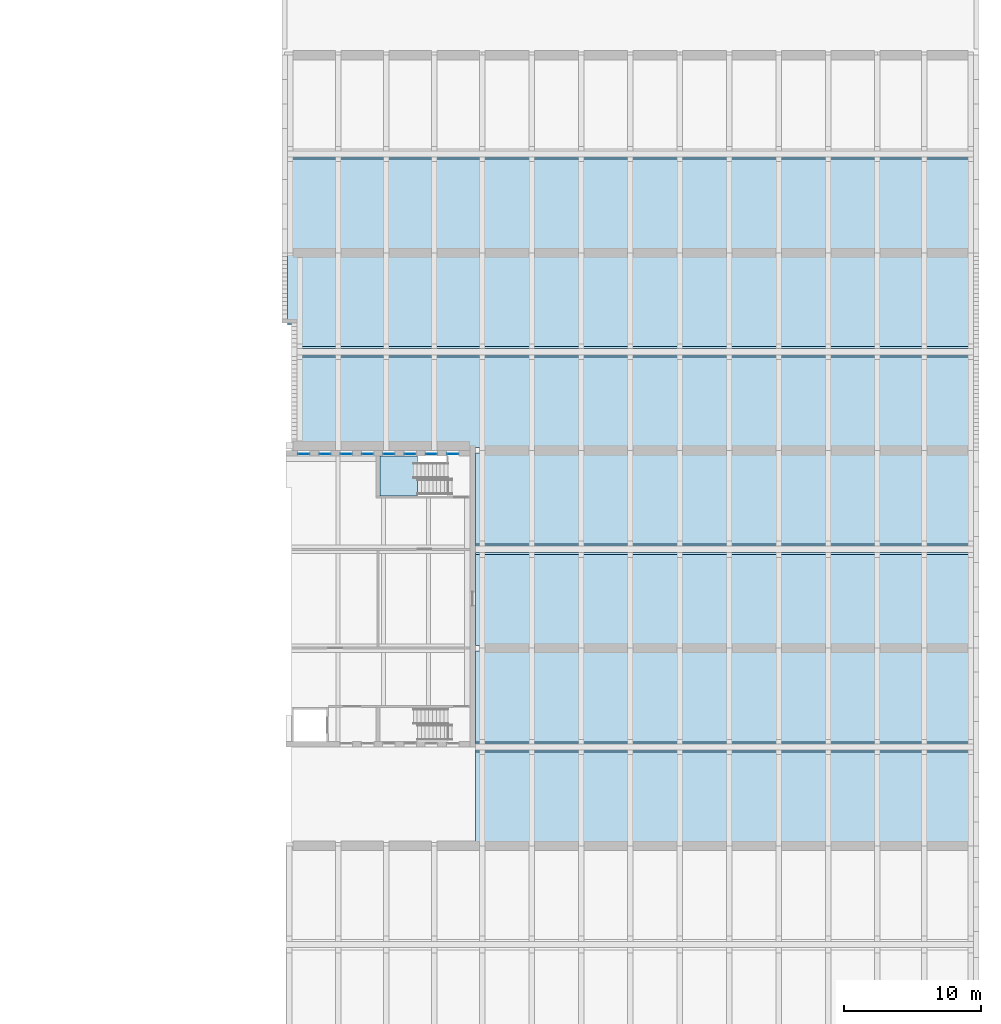
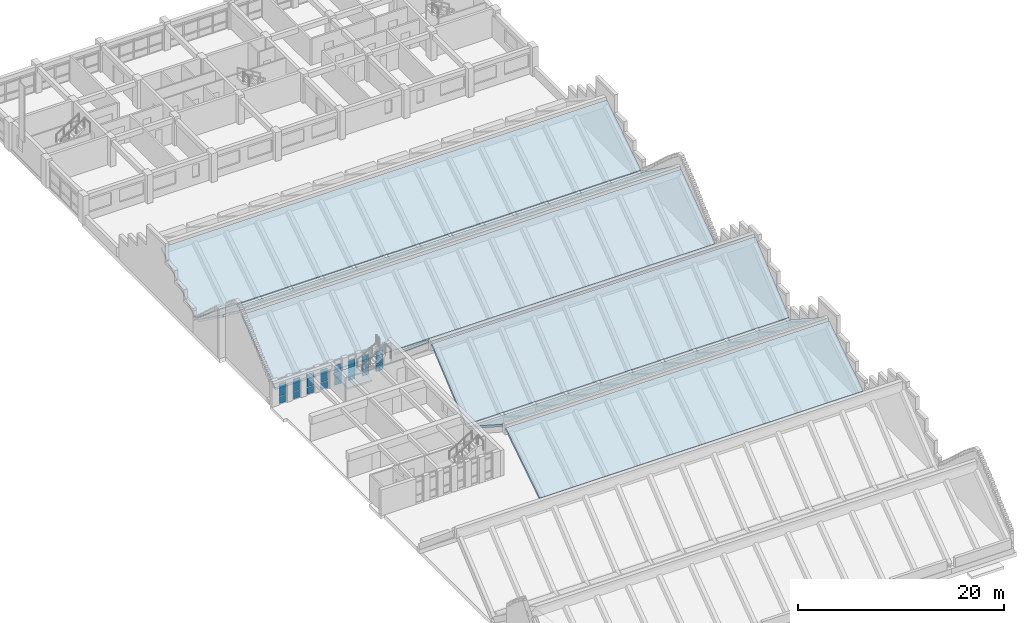
# One storey, part 19 of 31: 16 plates, 8 slabs, 9 elements without a shape of their own.
"""IFC4 building model written with IfcOpenShell, lengths in metres."""

from ifc_helpers import new_model, si_unit, direction, frame, origin, origin_2d, place, context, subcontext, project, spatial, polyline, rectangle, outline, extrude, material, layer, layer_set, type_object, element, aggregate, save


model = new_model("IFC4")

# Units and contexts
model_context = context("Model", 3, precision=1e-05, world=origin(), true_north=direction((0.0, 1.0)))
body_context = subcontext(model_context, "Body", "Model", "MODEL_VIEW")
ifc_project = project(units=[si_unit("LENGTHUNIT", "METRE"), si_unit("AREAUNIT", "SQUARE_METRE"), si_unit("VOLUMEUNIT", "CUBIC_METRE"), si_unit("PLANEANGLEUNIT", "RADIAN"), si_unit("MASSUNIT", "GRAM", prefix="KILO")], contexts=[model_context])

# Site, building, storey
site_placement = place(None, origin())
site = spatial("IfcSite", under=ifc_project, at=site_placement, CompositionType="ELEMENT")
building_placement = place(site_placement, origin())
building = spatial("IfcBuilding", under=site, at=building_placement, Name="Vermilion Court Aquatics Centre", CompositionType="ELEMENT")
storey_placement = place(building_placement, frame((0.0, 0.0, 16.5)))
storey = spatial("IfcBuildingStorey", under=building, at=storey_placement, Name="L03", CompositionType="ELEMENT", Elevation=16.5)

# Curtain wall, plates
ifc_material_1 = material(Name="Aluminium 6063-T5", Category="aluminium")
curtain_wall_type = type_object("IfcCurtainWallType", Name="Diving Tower slot curtain wall 900 module", PredefinedType="NOTDEFINED", material=ifc_material_1)
curtain_wall_1_placement = place(storey_placement, origin())
curtain_wall_1 = element("IfcCurtainWall", 1, at=curtain_wall_1_placement, inside=storey, type_object=curtain_wall_type, Name="Diving Tower slot window north 1 L03", PredefinedType="NOTDEFINED")
ifc_material_2 = material(Name="Glazing", Category="glass")
ifc_layer_1 = layer(ifc_material_2, 0.02392578125)
ifc_layer_set_1 = layer_set([ifc_layer_1], Name="Diving Tower slot glazing panel 24")
plate_type = type_object("IfcPlateType", Name="Diving Tower slot glazing panel 24", PredefinedType="CURTAIN_PANEL", material=ifc_layer_set_1)
plate_1_placement = place(storey_placement, frame((145.39990234375, 57.35009765625, 0.06005859375), z_axis=(0.0, 0.0, 1.0), x_axis=(1.0, 0.0, 0.0)))
plate_1 = element("IfcPlate", 2, at=plate_1_placement, type_object=plate_type, Name="UCW3 panel 1.1", PredefinedType="CURTAIN_PANEL", context=body_context, shape_type="SweptSolid", body=[
    extrude(rectangle(XDim=0.780029296875, YDim=0.028076171875, at=origin_2d()), origin(), (0.0, 0.0, 1.0), 0.81005859375),
])
plate_2_placement = place(storey_placement, frame((145.39990234375, 57.35009765625, 0.93017578125), z_axis=(0.0, 0.0, 1.0), x_axis=(1.0, 0.0, 0.0)))
plate_2 = element("IfcPlate", 3, at=plate_2_placement, type_object=plate_type, Name="UCW3 panel 1.2", PredefinedType="CURTAIN_PANEL", context=body_context, shape_type="SweptSolid", body=[
    extrude(rectangle(XDim=0.780029296875, YDim=0.028076171875, at=origin_2d()), origin(), (0.0, 0.0, 1.0), 1.489990234375),
])
aggregate(curtain_wall_1, [plate_1, plate_2])

curtain_wall_2_placement = place(storey_placement, origin())
curtain_wall_2 = element("IfcCurtainWall", 4, at=curtain_wall_2_placement, inside=storey, type_object=curtain_wall_type, Name="Diving Tower slot window north 2 L03", PredefinedType="NOTDEFINED")
plate_3_placement = place(storey_placement, frame((146.949951171875, 57.35009765625, 0.06005859375), z_axis=(0.0, 0.0, 1.0), x_axis=(1.0, 0.0, 0.0)))
plate_3 = element("IfcPlate", 5, at=plate_3_placement, type_object=plate_type, Name="UCW3 panel 1.1", PredefinedType="CURTAIN_PANEL", context=body_context, shape_type="SweptSolid", body=[
    extrude(rectangle(XDim=0.780029296875, YDim=0.028076171875, at=origin_2d()), origin(), (0.0, 0.0, 1.0), 0.81005859375),
])
plate_4_placement = place(storey_placement, frame((146.949951171875, 57.35009765625, 0.93017578125), z_axis=(0.0, 0.0, 1.0), x_axis=(1.0, 0.0, 0.0)))
plate_4 = element("IfcPlate", 6, at=plate_4_placement, type_object=plate_type, Name="UCW3 panel 1.2", PredefinedType="CURTAIN_PANEL", context=body_context, shape_type="SweptSolid", body=[
    extrude(rectangle(XDim=0.780029296875, YDim=0.028076171875, at=origin_2d()), origin(), (0.0, 0.0, 1.0), 1.489990234375),
])
aggregate(curtain_wall_2, [plate_3, plate_4])

curtain_wall_3_placement = place(storey_placement, origin())
curtain_wall_3 = element("IfcCurtainWall", 7, at=curtain_wall_3_placement, inside=storey, type_object=curtain_wall_type, Name="Diving Tower slot window north 3 L03", PredefinedType="NOTDEFINED")
plate_5_placement = place(storey_placement, frame((148.5, 57.35009765625, 0.06005859375), z_axis=(0.0, 0.0, 1.0), x_axis=(1.0, 0.0, 0.0)))
plate_5 = element("IfcPlate", 8, at=plate_5_placement, type_object=plate_type, Name="UCW3 panel 1.1", PredefinedType="CURTAIN_PANEL", context=body_context, shape_type="SweptSolid", body=[
    extrude(rectangle(XDim=0.780029296875, YDim=0.028076171875, at=origin_2d()), origin(), (0.0, 0.0, 1.0), 0.81005859375),
])
plate_6_placement = place(storey_placement, frame((148.5, 57.35009765625, 0.93017578125), z_axis=(0.0, 0.0, 1.0), x_axis=(1.0, 0.0, 0.0)))
plate_6 = element("IfcPlate", 9, at=plate_6_placement, type_object=plate_type, Name="UCW3 panel 1.2", PredefinedType="CURTAIN_PANEL", context=body_context, shape_type="SweptSolid", body=[
    extrude(rectangle(XDim=0.780029296875, YDim=0.028076171875, at=origin_2d()), origin(), (0.0, 0.0, 1.0), 1.489990234375),
])
aggregate(curtain_wall_3, [plate_5, plate_6])

curtain_wall_4_placement = place(storey_placement, origin())
curtain_wall_4 = element("IfcCurtainWall", 10, at=curtain_wall_4_placement, inside=storey, type_object=curtain_wall_type, Name="Diving Tower slot window north 4 L03", PredefinedType="NOTDEFINED")
plate_7_placement = place(storey_placement, frame((150.050048828125, 57.35009765625, 0.06005859375), z_axis=(0.0, 0.0, 1.0), x_axis=(1.0, 0.0, 0.0)))
plate_7 = element("IfcPlate", 11, at=plate_7_placement, type_object=plate_type, Name="UCW3 panel 1.1", PredefinedType="CURTAIN_PANEL", context=body_context, shape_type="SweptSolid", body=[
    extrude(rectangle(XDim=0.780029296875, YDim=0.028076171875, at=origin_2d()), origin(), (0.0, 0.0, 1.0), 0.81005859375),
])
plate_8_placement = place(storey_placement, frame((150.050048828125, 57.35009765625, 0.93017578125), z_axis=(0.0, 0.0, 1.0), x_axis=(1.0, 0.0, 0.0)))
plate_8 = element("IfcPlate", 12, at=plate_8_placement, type_object=plate_type, Name="UCW3 panel 1.2", PredefinedType="CURTAIN_PANEL", context=body_context, shape_type="SweptSolid", body=[
    extrude(rectangle(XDim=0.780029296875, YDim=0.028076171875, at=origin_2d()), origin(), (0.0, 0.0, 1.0), 1.489990234375),
])
aggregate(curtain_wall_4, [plate_7, plate_8])

curtain_wall_5_placement = place(storey_placement, origin())
curtain_wall_5 = element("IfcCurtainWall", 13, at=curtain_wall_5_placement, inside=storey, type_object=curtain_wall_type, Name="Diving Tower slot window north 5 L03", PredefinedType="NOTDEFINED")
plate_9_placement = place(storey_placement, frame((151.60009765625, 57.35009765625, 0.06005859375), z_axis=(0.0, 0.0, 1.0), x_axis=(1.0, 0.0, 0.0)))
plate_9 = element("IfcPlate", 14, at=plate_9_placement, type_object=plate_type, Name="UCW3 panel 1.1", PredefinedType="CURTAIN_PANEL", context=body_context, shape_type="SweptSolid", body=[
    extrude(rectangle(XDim=0.780029296875, YDim=0.028076171875, at=origin_2d()), origin(), (0.0, 0.0, 1.0), 0.81005859375),
])
plate_10_placement = place(storey_placement, frame((151.60009765625, 57.35009765625, 0.93017578125), z_axis=(0.0, 0.0, 1.0), x_axis=(1.0, 0.0, 0.0)))
plate_10 = element("IfcPlate", 15, at=plate_10_placement, type_object=plate_type, Name="UCW3 panel 1.2", PredefinedType="CURTAIN_PANEL", context=body_context, shape_type="SweptSolid", body=[
    extrude(rectangle(XDim=0.780029296875, YDim=0.028076171875, at=origin_2d()), origin(), (0.0, 0.0, 1.0), 1.489990234375),
])
aggregate(curtain_wall_5, [plate_9, plate_10])

curtain_wall_6_placement = place(storey_placement, origin())
curtain_wall_6 = element("IfcCurtainWall", 16, at=curtain_wall_6_placement, inside=storey, type_object=curtain_wall_type, Name="Diving Tower slot window north 6 L03", PredefinedType="NOTDEFINED")
plate_11_placement = place(storey_placement, frame((153.14990234375, 57.35009765625, 0.06005859375), z_axis=(0.0, 0.0, 1.0), x_axis=(1.0, 0.0, 0.0)))
plate_11 = element("IfcPlate", 17, at=plate_11_placement, type_object=plate_type, Name="UCW3 panel 1.1", PredefinedType="CURTAIN_PANEL", context=body_context, shape_type="SweptSolid", body=[
    extrude(rectangle(XDim=0.780029296875, YDim=0.028076171875, at=origin_2d()), origin(), (0.0, 0.0, 1.0), 0.81005859375),
])
plate_12_placement = place(storey_placement, frame((153.14990234375, 57.35009765625, 0.93017578125), z_axis=(0.0, 0.0, 1.0), x_axis=(1.0, 0.0, 0.0)))
plate_12 = element("IfcPlate", 18, at=plate_12_placement, type_object=plate_type, Name="UCW3 panel 1.2", PredefinedType="CURTAIN_PANEL", context=body_context, shape_type="SweptSolid", body=[
    extrude(rectangle(XDim=0.780029296875, YDim=0.028076171875, at=origin_2d()), origin(), (0.0, 0.0, 1.0), 1.489990234375),
])
aggregate(curtain_wall_6, [plate_11, plate_12])

curtain_wall_7_placement = place(storey_placement, origin())
curtain_wall_7 = element("IfcCurtainWall", 19, at=curtain_wall_7_placement, inside=storey, type_object=curtain_wall_type, Name="Diving Tower slot window north 7 L03", PredefinedType="NOTDEFINED")
plate_13_placement = place(storey_placement, frame((154.699951171875, 57.35009765625, 0.06005859375), z_axis=(0.0, 0.0, 1.0), x_axis=(1.0, 0.0, 0.0)))
plate_13 = element("IfcPlate", 20, at=plate_13_placement, type_object=plate_type, Name="UCW3 panel 1.1", PredefinedType="CURTAIN_PANEL", context=body_context, shape_type="SweptSolid", body=[
    extrude(rectangle(XDim=0.780029296875, YDim=0.028076171875, at=origin_2d()), origin(), (0.0, 0.0, 1.0), 0.81005859375),
])
plate_14_placement = place(storey_placement, frame((154.699951171875, 57.35009765625, 0.93017578125), z_axis=(0.0, 0.0, 1.0), x_axis=(1.0, 0.0, 0.0)))
plate_14 = element("IfcPlate", 21, at=plate_14_placement, type_object=plate_type, Name="UCW3 panel 1.2", PredefinedType="CURTAIN_PANEL", context=body_context, shape_type="SweptSolid", body=[
    extrude(rectangle(XDim=0.780029296875, YDim=0.028076171875, at=origin_2d()), origin(), (0.0, 0.0, 1.0), 1.489990234375),
])
aggregate(curtain_wall_7, [plate_13, plate_14])

curtain_wall_8_placement = place(storey_placement, origin())
curtain_wall_8 = element("IfcCurtainWall", 22, at=curtain_wall_8_placement, inside=storey, type_object=curtain_wall_type, Name="Diving Tower slot window north 8 L03", PredefinedType="NOTDEFINED")
plate_15_placement = place(storey_placement, frame((156.25, 57.35009765625, 0.06005859375), z_axis=(0.0, 0.0, 1.0), x_axis=(1.0, 0.0, 0.0)))
plate_15 = element("IfcPlate", 23, at=plate_15_placement, type_object=plate_type, Name="UCW3 panel 1.1", PredefinedType="CURTAIN_PANEL", context=body_context, shape_type="SweptSolid", body=[
    extrude(rectangle(XDim=0.780029296875, YDim=0.028076171875, at=origin_2d()), origin(), (0.0, 0.0, 1.0), 0.81005859375),
])
plate_16_placement = place(storey_placement, frame((156.25, 57.35009765625, 0.93017578125), z_axis=(0.0, 0.0, 1.0), x_axis=(1.0, 0.0, 0.0)))
plate_16 = element("IfcPlate", 24, at=plate_16_placement, type_object=plate_type, Name="UCW3 panel 1.2", PredefinedType="CURTAIN_PANEL", context=body_context, shape_type="SweptSolid", body=[
    extrude(rectangle(XDim=0.780029296875, YDim=0.028076171875, at=origin_2d()), origin(), (0.0, 0.0, 1.0), 1.489990234375),
])
aggregate(curtain_wall_8, [plate_15, plate_16])

# Stair, slab
ifc_material_3 = material(Name="Concrete 5000 psi", Category="concrete")
stair_type = type_object("IfcStairType", Name="Diving Tower stair 1130", PredefinedType="HALF_TURN_STAIR", material=ifc_material_3)
stair_placement = place(storey_placement, origin())
stair = element("IfcStair", 25, at=stair_placement, inside=storey, type_object=stair_type, Name="Exit stair ST-D2 L03", PredefinedType="HALF_TURN_STAIR")
ifc_material_4 = material(Name="Concrete 5000 psi", Category="concrete")
ifc_layer_2 = layer(ifc_material_4, 0.199951171875)
ifc_layer_set_2 = layer_set([ifc_layer_2], Name="Diving Tower stair landing 200")
slab_type_1 = type_object("IfcSlabType", Name="Diving Tower stair landing 200", PredefinedType="LANDING", material=ifc_layer_set_2)
slab_1_placement = place(storey_placement, frame((0.0, 0.0, 1.5)))
slab_1 = element("IfcSlab", 26, at=slab_1_placement, type_object=slab_type_1, Name="ST-D2 landing 1", PredefinedType="LANDING", context=body_context, shape_type="SweptSolid", body=[
    extrude(outline(polyline([(150.949951171875, 54.27490234375), (153.679931640625, 54.27490234375), (153.679931640625, 57.199951171875), (150.949951171875, 57.199951171875), (150.949951171875, 54.27490234375)])), origin(), (0.0, 0.0, 1.0), 0.199951171875),
])
aggregate(stair, [slab_1])

# Slabs
ifc_material_5 = material(Name="Concrete 5000 psi", Category="concrete")
ifc_layer_3 = layer(ifc_material_5, 0.25)
ifc_layer_set_3 = layer_set([ifc_layer_3], Name="Podium terracotta-clad roof slab 250")
slab_type_2 = type_object("IfcSlabType", Name="Podium terracotta-clad roof slab 250", PredefinedType="ROOF", material=ifc_layer_set_3)
slab_2_placement = place(storey_placement, frame((157.89990234375, 29.013916015625, 1.539794921875), z_axis=(0.0, -0.544653720189, 0.838661031099), x_axis=(1.0, 0.0, 0.0)))
element("IfcSlab", 27, at=slab_2_placement, inside=storey, type_object=slab_type_2, Name="Roof slab", PredefinedType="ROOF", context=body_context, shape_type="SweptSolid", body=[
    extrude(outline(polyline([(0.0, 0.0), (36.300048828125, 0.0), (36.300048828125, 7.899496643261027), (0.0, 7.899496643261027), (0.0, 0.0)])), origin(), (0.0, 0.0, -1.0), 0.25),
])
slab_3_placement = place(storey_placement, frame((157.89990234375, 42.986083984375, 1.539794921875), z_axis=(0.0, 0.544653720189, 0.838661031099), x_axis=(1.0, 0.0, 0.0)))
element("IfcSlab", 28, at=slab_3_placement, inside=storey, type_object=slab_type_2, Name="Roof slab", PredefinedType="ROOF", context=body_context, shape_type="SweptSolid", body=[
    extrude(outline(polyline([(0.0, 0.0), (36.300048828125, 0.0), (36.300048828125, -7.899496643261027), (0.0, -7.899496643261027), (0.0, 0.0)])), origin(), (0.0, 0.0, -1.0), 0.25),
])
slab_4_placement = place(storey_placement, frame((157.89990234375, 43.389404296875, 1.54443359375), z_axis=(0.0, -0.642790797095, 0.766041768554), x_axis=(1.0, 0.0, 0.0)))
element("IfcSlab", 29, at=slab_4_placement, inside=storey, type_object=slab_type_2, Name="Roof slab", PredefinedType="ROOF", context=body_context, shape_type="SweptSolid", body=[
    extrude(outline(polyline([(0.0, 0.0), (36.300048828125, 0.0), (36.300048828125, 8.648353486656674), (0.0, 8.648353486656674), (0.0, 0.0)])), origin(), (0.0, 0.0, -1.0), 0.25),
])
slab_5_placement = place(storey_placement, frame((157.89990234375, 57.41064453125, 1.54443359375), z_axis=(0.0, 0.642790797095, 0.766041768554), x_axis=(1.0, 0.0, 0.0)))
element("IfcSlab", 30, at=slab_5_placement, inside=storey, type_object=slab_type_2, Name="Roof slab", PredefinedType="ROOF", context=body_context, shape_type="SweptSolid", body=[
    extrude(outline(polyline([(0.0, 0.0), (36.300048828125, 0.0), (36.300048828125, -8.648353486656674), (0.0, -8.648353486656674), (0.0, 0.0)])), origin(), (0.0, 0.0, -1.0), 0.25),
])
slab_6_placement = place(storey_placement, frame((144.89990234375, 57.802978515625, 1.54150390625), z_axis=(0.0, -0.587795827483, 0.809009310944), x_axis=(1.0, 0.0, 0.0)))
element("IfcSlab", 31, at=slab_6_placement, inside=storey, type_object=slab_type_2, Name="Roof slab", PredefinedType="ROOF", context=body_context, shape_type="SweptSolid", body=[
    extrude(outline(polyline([(0.0, 0.0), (49.300048828125, 0.0), (49.300048828125, 8.189028124126624), (0.0, 8.189028124126624), (0.0, 0.0)])), origin(), (0.0, 0.0, -1.0), 0.25),
])
slab_7_placement = place(storey_placement, frame((194.199951171875, 65.171875, 6.35498046875), z_axis=(-7.74359e-07, 0.587795720389, 0.809009388753), x_axis=(0.0, 0.809009388754, -0.58779572039)))
element("IfcSlab", 32, at=slab_7_placement, inside=storey, type_object=slab_type_2, Name="Roof slab", PredefinedType="ROOF", context=body_context, shape_type="SweptSolid", body=[
    extrude(outline(polyline([(0.0, 0.0), (8.189028124126553, 4.235164736271502e-22), (8.189028124131678, 49.99999999998501), (2.1360356063436403, 50.00000000004476), (2.136035606343569, 49.30004882816996), (5.053559886480174e-12, 49.300048828110214), (0.0, 0.0)])), origin(), (0.0, 0.0, -1.0), 0.25),
])
slab_8_placement = place(storey_placement, frame((144.199951171875, 72.2138671875, 1.539794921875), z_axis=(0.0, -0.544653720189, 0.838661031099), x_axis=(1.0, 0.0, 0.0)))
element("IfcSlab", 33, at=slab_8_placement, inside=storey, type_object=slab_type_2, Name="Roof slab", PredefinedType="ROOF", context=body_context, shape_type="SweptSolid", body=[
    extrude(outline(polyline([(0.0, 0.0), (50.0, 0.0), (50.0, 7.899496643261028), (0.0, 7.899496643261028), (0.0, 0.0)])), origin(), (0.0, 0.0, -1.0), 0.25),
])

save(model, "model.ifc")
